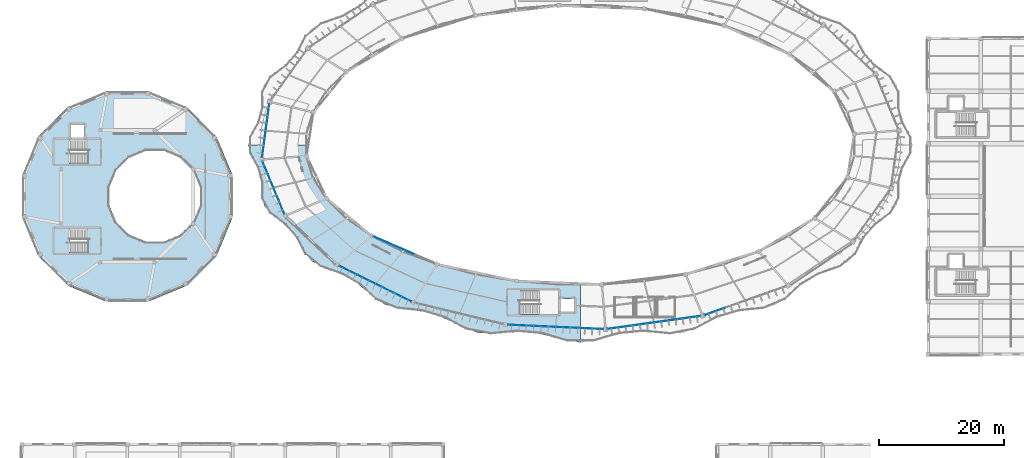
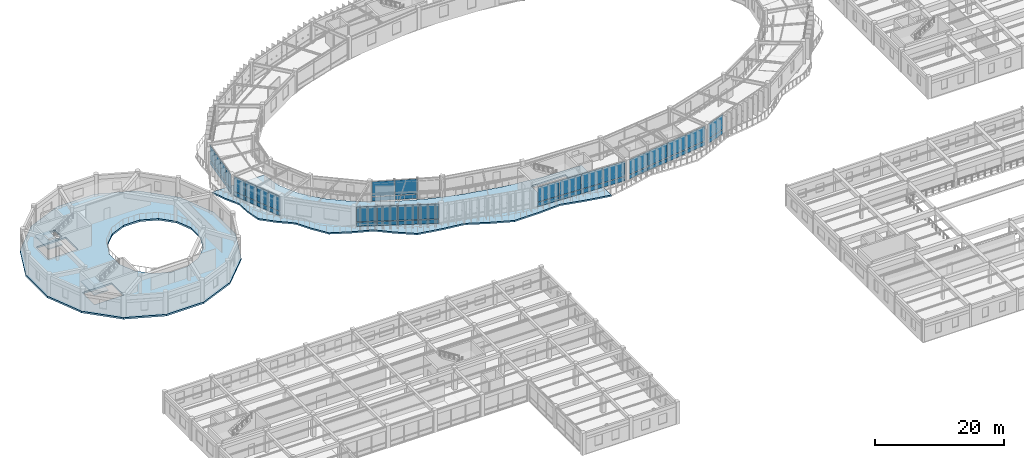
# One storey, part 104 of 138: 46 plates, 4 slabs, 9 elements without a shape of their own.
"""IFC4 building model written with IfcOpenShell, lengths in metres."""

from ifc_helpers import new_model, si_unit, direction, frame, origin, origin_2d, place, context, subcontext, project, spatial, polyline, rectangle, outline, extrude, material, layer, layer_set, type_object, element, aggregate, save


model = new_model("IFC4")

# Units and contexts
model_context = context("Model", 3, precision=1e-05, world=origin(), true_north=direction((0.0, 1.0)))
body_context = subcontext(model_context, "Body", "Model", "MODEL_VIEW")
ifc_project = project(units=[si_unit("LENGTHUNIT", "METRE"), si_unit("AREAUNIT", "SQUARE_METRE"), si_unit("VOLUMEUNIT", "CUBIC_METRE"), si_unit("PLANEANGLEUNIT", "RADIAN"), si_unit("MASSUNIT", "GRAM", prefix="KILO"), si_unit("THERMODYNAMICTEMPERATUREUNIT", "KELVIN"), si_unit("POWERUNIT", "WATT")], contexts=[model_context])

# Site, building, storey
site_placement = place(None, origin())
site = spatial("IfcSite", under=ifc_project, at=site_placement, CompositionType="ELEMENT")
building_placement = place(site_placement, origin())
building = spatial("IfcBuilding", under=site, at=building_placement, Name="Darbajah Civic Hall", CompositionType="ELEMENT")
storey_placement = place(building_placement, frame((0.0, 0.0, 9.60009765625)))
storey = spatial("IfcBuildingStorey", under=building, at=storey_placement, Name="L02", CompositionType="ELEMENT", Elevation=9.60009765625)

# Curtain wall, plates
ifc_material_1 = material(Name="Anodised Bronze Aluminium and Low-E Glazing", Category="aluminium")
curtain_wall_type_1 = type_object("IfcCurtainWallType", Name="Unitised Curtain Wall CW-32 15200x3900", PredefinedType="USERDEFINED", material=ifc_material_1)
curtain_wall_1_placement = place(storey_placement, origin())
curtain_wall_1 = element("IfcCurtainWall", 1, at=curtain_wall_1_placement, inside=storey, type_object=curtain_wall_type_1, Name="L02 unitised curtain wall CW-V1O-L02-14", ObjectType="UNITISED CURTAIN WALL", PredefinedType="USERDEFINED")
ifc_material_2 = material(Name="Low-E Solar Control Double Glazing", Category="glass")
ifc_layer_1 = layer(ifc_material_2, 0.02392578125, Name="Low-E Solar Control Double Glazing")
ifc_layer_set_1 = layer_set([ifc_layer_1], Name="Low-E Solar Control Double Glazing")
plate_type_1 = type_object("IfcPlateType", Name="Solar Double Glazing 24mm", PredefinedType="CURTAIN_PANEL", material=ifc_layer_set_1)
plate_1_placement = place(storey_placement, frame((79.4462890625, 61.0126953125, 0.10009765625), z_axis=(0.0, 0.0, 1.0), x_axis=(0.998962637241, -0.045537340693, 0.0)))
plate_1 = element("IfcPlate", 2, at=plate_1_placement, type_object=plate_type_1, Name="CW-V1O-L02-14 glazed panel 1.1", PredefinedType="CURTAIN_PANEL", context=body_context, shape_type="SweptSolid", body=[
    extrude(rectangle(XDim=3.739990234375, YDim=0.02392578125, at=origin_2d()), origin(), (0.0, 0.0, 1.0), 0.800048828125),
])
plate_2_placement = place(storey_placement, frame((79.4462890625, 61.0126953125, 1.0), z_axis=(0.0, 0.0, 1.0), x_axis=(0.998962637241, -0.045537340693, 0.0)))
plate_2 = element("IfcPlate", 3, at=plate_2_placement, type_object=plate_type_1, Name="CW-V1O-L02-14 glazed panel 1.2", PredefinedType="CURTAIN_PANEL", context=body_context, shape_type="SweptSolid", body=[
    extrude(rectangle(XDim=3.739990234375, YDim=0.02392578125, at=origin_2d()), origin(), (0.0, 0.0, 1.0), 2.820068359375),
])
plate_3_placement = place(storey_placement, frame((83.247314453125, 60.839599609375, 0.10009765625), z_axis=(0.0, 0.0, 1.0), x_axis=(0.998962637241, -0.045537340693, 0.0)))
plate_3 = element("IfcPlate", 4, at=plate_3_placement, type_object=plate_type_1, Name="CW-V1O-L02-14 glazed panel 2.1", PredefinedType="CURTAIN_PANEL", context=body_context, shape_type="SweptSolid", body=[
    extrude(rectangle(XDim=3.739990234375, YDim=0.02392578125, at=origin_2d()), origin(), (0.0, 0.0, 1.0), 0.800048828125),
])
plate_4_placement = place(storey_placement, frame((83.247314453125, 60.839599609375, 1.0), z_axis=(0.0, 0.0, 1.0), x_axis=(0.998962637241, -0.045537340693, 0.0)))
plate_4 = element("IfcPlate", 5, at=plate_4_placement, type_object=plate_type_1, Name="CW-V1O-L02-14 glazed panel 2.2", PredefinedType="CURTAIN_PANEL", context=body_context, shape_type="SweptSolid", body=[
    extrude(rectangle(XDim=3.739990234375, YDim=0.02392578125, at=origin_2d()), origin(), (0.0, 0.0, 1.0), 2.820068359375),
])
plate_5_placement = place(storey_placement, frame((87.04833984375, 60.66650390625, 0.10009765625), z_axis=(0.0, 0.0, 1.0), x_axis=(0.998962637241, -0.045537340693, 0.0)))
plate_5 = element("IfcPlate", 6, at=plate_5_placement, type_object=plate_type_1, Name="CW-V1O-L02-14 glazed panel 3.1", PredefinedType="CURTAIN_PANEL", context=body_context, shape_type="SweptSolid", body=[
    extrude(rectangle(XDim=3.739990234375, YDim=0.02392578125, at=origin_2d()), origin(), (0.0, 0.0, 1.0), 0.800048828125),
])
plate_6_placement = place(storey_placement, frame((87.04833984375, 60.66650390625, 1.0), z_axis=(0.0, 0.0, 1.0), x_axis=(0.998962637241, -0.045537340693, 0.0)))
plate_6 = element("IfcPlate", 7, at=plate_6_placement, type_object=plate_type_1, Name="CW-V1O-L02-14 glazed panel 3.2", PredefinedType="CURTAIN_PANEL", context=body_context, shape_type="SweptSolid", body=[
    extrude(rectangle(XDim=3.739990234375, YDim=0.02392578125, at=origin_2d()), origin(), (0.0, 0.0, 1.0), 2.820068359375),
])
plate_7_placement = place(storey_placement, frame((90.849365234375, 60.493408203125, 0.10009765625), z_axis=(0.0, 0.0, 1.0), x_axis=(0.998962637241, -0.045537340693, 0.0)))
plate_7 = element("IfcPlate", 8, at=plate_7_placement, type_object=plate_type_1, Name="CW-V1O-L02-14 glazed panel 4.1", PredefinedType="CURTAIN_PANEL", context=body_context, shape_type="SweptSolid", body=[
    extrude(rectangle(XDim=3.739990234375, YDim=0.02392578125, at=origin_2d()), origin(), (0.0, 0.0, 1.0), 0.800048828125),
])
plate_8_placement = place(storey_placement, frame((90.849365234375, 60.493408203125, 1.0), z_axis=(0.0, 0.0, 1.0), x_axis=(0.998962637241, -0.045537340693, 0.0)))
plate_8 = element("IfcPlate", 9, at=plate_8_placement, type_object=plate_type_1, Name="CW-V1O-L02-14 glazed panel 4.2", PredefinedType="CURTAIN_PANEL", context=body_context, shape_type="SweptSolid", body=[
    extrude(rectangle(XDim=3.739990234375, YDim=0.02392578125, at=origin_2d()), origin(), (0.0, 0.0, 1.0), 2.820068359375),
])
aggregate(curtain_wall_1, [plate_1, plate_2, plate_3, plate_4, plate_5, plate_6, plate_7, plate_8])

curtain_wall_type_2 = type_object("IfcCurtainWallType", Name="Unitised Curtain Wall CW-47 9000x3900", PredefinedType="USERDEFINED", material=ifc_material_1)
curtain_wall_2_placement = place(storey_placement, origin())
curtain_wall_2 = element("IfcCurtainWall", 10, at=curtain_wall_2_placement, inside=storey, type_object=curtain_wall_type_2, Name="L02 unitised curtain wall CW-V1O-L02-10", ObjectType="UNITISED CURTAIN WALL", PredefinedType="USERDEFINED")
ifc_layer_2 = layer(ifc_material_2, 0.028076171875, Name="Low-E Solar Control Double Glazing")
ifc_layer_set_2 = layer_set([ifc_layer_2], Name="Low-E Solar Control Double Glazing")
plate_type_2 = type_object("IfcPlateType", Name="Solar Double Glazing 28mm", PredefinedType="CURTAIN_PANEL", material=ifc_layer_set_2)
plate_9_placement = place(storey_placement, frame((38.823974609375, 86.119873046875, 0.119873046875), z_axis=(0.0, 0.0, 1.0), x_axis=(0.383328328644, -0.923612143954, 0.0)))
plate_9 = element("IfcPlate", 11, at=plate_9_placement, type_object=plate_type_2, Name="CW-V1O-L02-10 glazed panel 1.1", PredefinedType="CURTAIN_PANEL", context=body_context, shape_type="SweptSolid", body=[
    extrude(rectangle(XDim=2.183349609375, YDim=0.028076171875, at=origin_2d()), origin(), (0.0, 0.0, 1.0), 0.77001953125),
])
plate_10_placement = place(storey_placement, frame((38.823974609375, 86.119873046875, 1.009765625), z_axis=(0.0, 0.0, 1.0), x_axis=(0.383328328644, -0.923612143954, 0.0)))
plate_10 = element("IfcPlate", 12, at=plate_10_placement, type_object=plate_type_2, Name="CW-V1O-L02-10 glazed panel 1.2", PredefinedType="CURTAIN_PANEL", context=body_context, shape_type="SweptSolid", body=[
    extrude(rectangle(XDim=2.183349609375, YDim=0.028076171875, at=origin_2d()), origin(), (0.0, 0.0, 1.0), 2.7900390625),
])
plate_11_placement = place(storey_placement, frame((39.687744140625, 84.038818359375, 0.119873046875), z_axis=(0.0, 0.0, 1.0), x_axis=(0.383328328644, -0.923612143954, 0.0)))
plate_11 = element("IfcPlate", 13, at=plate_11_placement, type_object=plate_type_2, Name="CW-V1O-L02-10 glazed panel 2.1", PredefinedType="CURTAIN_PANEL", context=body_context, shape_type="SweptSolid", body=[
    extrude(rectangle(XDim=2.183349609375, YDim=0.028076171875, at=origin_2d()), origin(), (0.0, 0.0, 1.0), 0.77001953125),
])
plate_12_placement = place(storey_placement, frame((39.687744140625, 84.038818359375, 1.009765625), z_axis=(0.0, 0.0, 1.0), x_axis=(0.383328328644, -0.923612143954, 0.0)))
plate_12 = element("IfcPlate", 14, at=plate_12_placement, type_object=plate_type_2, Name="CW-V1O-L02-10 glazed panel 2.2", PredefinedType="CURTAIN_PANEL", context=body_context, shape_type="SweptSolid", body=[
    extrude(rectangle(XDim=2.183349609375, YDim=0.028076171875, at=origin_2d()), origin(), (0.0, 0.0, 1.0), 2.7900390625),
])
plate_13_placement = place(storey_placement, frame((40.551513671875, 81.95751953125, 0.119873046875), z_axis=(0.0, 0.0, 1.0), x_axis=(0.383328328644, -0.923612143954, 0.0)))
plate_13 = element("IfcPlate", 15, at=plate_13_placement, type_object=plate_type_2, Name="CW-V1O-L02-10 glazed panel 3.1", PredefinedType="CURTAIN_PANEL", context=body_context, shape_type="SweptSolid", body=[
    extrude(rectangle(XDim=2.183349609375, YDim=0.028076171875, at=origin_2d()), origin(), (0.0, 0.0, 1.0), 0.77001953125),
])
plate_14_placement = place(storey_placement, frame((40.551513671875, 81.95751953125, 1.009765625), z_axis=(0.0, 0.0, 1.0), x_axis=(0.383328328644, -0.923612143954, 0.0)))
plate_14 = element("IfcPlate", 16, at=plate_14_placement, type_object=plate_type_2, Name="CW-V1O-L02-10 glazed panel 3.2", PredefinedType="CURTAIN_PANEL", context=body_context, shape_type="SweptSolid", body=[
    extrude(rectangle(XDim=2.183349609375, YDim=0.028076171875, at=origin_2d()), origin(), (0.0, 0.0, 1.0), 2.7900390625),
])
plate_15_placement = place(storey_placement, frame((41.415283203125, 79.87646484375, 0.119873046875), z_axis=(0.0, 0.0, 1.0), x_axis=(0.383328328644, -0.923612143954, 0.0)))
plate_15 = element("IfcPlate", 17, at=plate_15_placement, type_object=plate_type_2, Name="CW-V1O-L02-10 glazed panel 4.1", PredefinedType="CURTAIN_PANEL", context=body_context, shape_type="SweptSolid", body=[
    extrude(rectangle(XDim=2.183349609375, YDim=0.028076171875, at=origin_2d()), origin(), (0.0, 0.0, 1.0), 0.77001953125),
])
plate_16_placement = place(storey_placement, frame((41.415283203125, 79.87646484375, 1.009765625), z_axis=(0.0, 0.0, 1.0), x_axis=(0.383328328644, -0.923612143954, 0.0)))
plate_16 = element("IfcPlate", 18, at=plate_16_placement, type_object=plate_type_2, Name="CW-V1O-L02-10 glazed panel 4.2", PredefinedType="CURTAIN_PANEL", context=body_context, shape_type="SweptSolid", body=[
    extrude(rectangle(XDim=2.183349609375, YDim=0.028076171875, at=origin_2d()), origin(), (0.0, 0.0, 1.0), 2.7900390625),
])
aggregate(curtain_wall_2, [plate_9, plate_10, plate_11, plate_12, plate_13, plate_14, plate_15, plate_16])

curtain_wall_type_3 = type_object("IfcCurtainWallType", Name="Unitised Curtain Wall CW-19 10700x3900", PredefinedType="USERDEFINED", material=ifc_material_1)
curtain_wall_3_placement = place(storey_placement, origin())
curtain_wall_3 = element("IfcCurtainWall", 19, at=curtain_wall_3_placement, inside=storey, type_object=curtain_wall_type_3, Name="L02 unitised curtain wall CW-V1I-L02-12", ObjectType="UNITISED CURTAIN WALL", PredefinedType="USERDEFINED")
plate_17_placement = place(storey_placement, frame((57.73095703125, 74.47509765625, 0.119873046875), z_axis=(0.0, 0.0, 1.0), x_axis=(0.917060074385, -0.398749068925, 0.0)))
plate_17 = element("IfcPlate", 20, at=plate_17_placement, type_object=plate_type_2, Name="CW-V1I-L02-12 glazed panel 1.1", PredefinedType="CURTAIN_PANEL", context=body_context, shape_type="SweptSolid", body=[
    extrude(rectangle(XDim=3.49951171875, YDim=0.028076171875, at=origin_2d()), origin(), (0.0, 0.0, 1.0), 0.77001953125),
])
plate_18_placement = place(storey_placement, frame((57.73095703125, 74.47509765625, 1.009765625), z_axis=(0.0, 0.0, 1.0), x_axis=(0.917060074385, -0.398749068925, 0.0)))
plate_18 = element("IfcPlate", 21, at=plate_18_placement, type_object=plate_type_2, Name="CW-V1I-L02-12 glazed panel 1.2", PredefinedType="CURTAIN_PANEL", context=body_context, shape_type="SweptSolid", body=[
    extrude(rectangle(XDim=3.49951171875, YDim=0.028076171875, at=origin_2d()), origin(), (0.0, 0.0, 1.0), 2.7900390625),
])
plate_19_placement = place(storey_placement, frame((61.00439453125, 73.0517578125, 0.119873046875), z_axis=(0.0, 0.0, 1.0), x_axis=(0.917060074385, -0.398749068925, 0.0)))
plate_19 = element("IfcPlate", 22, at=plate_19_placement, type_object=plate_type_2, Name="CW-V1I-L02-12 glazed panel 2.1", PredefinedType="CURTAIN_PANEL", context=body_context, shape_type="SweptSolid", body=[
    extrude(rectangle(XDim=3.49951171875, YDim=0.028076171875, at=origin_2d()), origin(), (0.0, 0.0, 1.0), 0.77001953125),
])
plate_20_placement = place(storey_placement, frame((61.00439453125, 73.0517578125, 1.009765625), z_axis=(0.0, 0.0, 1.0), x_axis=(0.917060074385, -0.398749068925, 0.0)))
plate_20 = element("IfcPlate", 23, at=plate_20_placement, type_object=plate_type_2, Name="CW-V1I-L02-12 glazed panel 2.2", PredefinedType="CURTAIN_PANEL", context=body_context, shape_type="SweptSolid", body=[
    extrude(rectangle(XDim=3.49951171875, YDim=0.028076171875, at=origin_2d()), origin(), (0.0, 0.0, 1.0), 2.7900390625),
])
aggregate(curtain_wall_3, [plate_17, plate_18, plate_19, plate_20])

curtain_wall_type_4 = type_object("IfcCurtainWallType", Name="Unitised Curtain Wall CW-33 13700x3900", PredefinedType="USERDEFINED", material=ifc_material_1)
curtain_wall_4_placement = place(storey_placement, origin())
curtain_wall_4 = element("IfcCurtainWall", 24, at=curtain_wall_4_placement, inside=storey, type_object=curtain_wall_type_4, Name="L02 unitised curtain wall CW-V1O-L02-16", ObjectType="UNITISED CURTAIN WALL", PredefinedType="USERDEFINED")
plate_21_placement = place(storey_placement, frame((110.56640625, 63.236572265625, 0.119873046875), z_axis=(0.0, 0.0, 1.0), x_axis=(0.94252491309, 0.334135882844, 0.0)))
plate_21 = element("IfcPlate", 25, at=plate_21_placement, type_object=plate_type_2, Name="CW-V1O-L02-16 glazed panel 1.1", PredefinedType="CURTAIN_PANEL", context=body_context, shape_type="SweptSolid", body=[
    extrude(rectangle(XDim=3.362548828125, YDim=0.028076171875, at=origin_2d()), origin(), (0.0, 0.0, 1.0), 0.77001953125),
])
plate_22_placement = place(storey_placement, frame((110.56640625, 63.236572265625, 1.009765625), z_axis=(0.0, 0.0, 1.0), x_axis=(0.94252491309, 0.334135882844, 0.0)))
plate_22 = element("IfcPlate", 26, at=plate_22_placement, type_object=plate_type_2, Name="CW-V1O-L02-16 glazed panel 1.2", PredefinedType="CURTAIN_PANEL", context=body_context, shape_type="SweptSolid", body=[
    extrude(rectangle(XDim=3.362548828125, YDim=0.028076171875, at=origin_2d()), origin(), (0.0, 0.0, 1.0), 2.7900390625),
])
aggregate(curtain_wall_4, [plate_21, plate_22])

curtain_wall_type_5 = type_object("IfcCurtainWallType", Name="Unitised Curtain Wall CW-45 8600x3900", PredefinedType="USERDEFINED", material=ifc_material_1)
curtain_wall_5_placement = place(storey_placement, origin())
curtain_wall_5 = element("IfcCurtainWall", 27, at=curtain_wall_5_placement, inside=storey, type_object=curtain_wall_type_5, Name="L02 unitised curtain wall CW-V1O-L02-09", ObjectType="UNITISED CURTAIN WALL", PredefinedType="USERDEFINED")
ifc_layer_3 = layer(ifc_material_2, 0.031982421875, Name="Low-E Solar Control Double Glazing")
ifc_layer_set_3 = layer_set([ifc_layer_3], Name="Low-E Solar Control Double Glazing")
plate_type_3 = type_object("IfcPlateType", Name="Solar Double Glazing 32mm", PredefinedType="CURTAIN_PANEL", material=ifc_layer_set_3)
plate_23_placement = place(storey_placement, frame((39.31689453125, 95.27490234375, 0.14013671875), z_axis=(0.0, 0.0, 1.0), x_axis=(-0.134850930274, -0.990865897387, 0.0)))
plate_23 = element("IfcPlate", 28, at=plate_23_placement, type_object=plate_type_3, Name="CW-V1O-L02-09 glazed panel 1.1", PredefinedType="CURTAIN_PANEL", context=body_context, shape_type="SweptSolid", body=[
    extrude(rectangle(XDim=2.070556640625, YDim=0.031982421875, at=origin_2d()), origin(), (0.0, 0.0, 1.0), 0.739990234375),
])
plate_24_placement = place(storey_placement, frame((39.31689453125, 95.27490234375, 1.02001953125), z_axis=(0.0, 0.0, 1.0), x_axis=(-0.134850930274, -0.990865897387, 0.0)))
plate_24 = element("IfcPlate", 29, at=plate_24_placement, type_object=plate_type_3, Name="CW-V1O-L02-09 glazed panel 1.2", PredefinedType="CURTAIN_PANEL", context=body_context, shape_type="SweptSolid", body=[
    extrude(rectangle(XDim=2.070556640625, YDim=0.031982421875, at=origin_2d()), origin(), (0.0, 0.0, 1.0), 2.760009765625),
])
plate_25_placement = place(storey_placement, frame((39.027587890625, 93.14892578125, 0.14013671875), z_axis=(0.0, 0.0, 1.0), x_axis=(-0.134850930274, -0.990865897387, 0.0)))
plate_25 = element("IfcPlate", 30, at=plate_25_placement, type_object=plate_type_3, Name="CW-V1O-L02-09 glazed panel 2.1", PredefinedType="CURTAIN_PANEL", context=body_context, shape_type="SweptSolid", body=[
    extrude(rectangle(XDim=2.070556640625, YDim=0.031982421875, at=origin_2d()), origin(), (0.0, 0.0, 1.0), 0.739990234375),
])
plate_26_placement = place(storey_placement, frame((39.027587890625, 93.14892578125, 1.02001953125), z_axis=(0.0, 0.0, 1.0), x_axis=(-0.134850930274, -0.990865897387, 0.0)))
plate_26 = element("IfcPlate", 31, at=plate_26_placement, type_object=plate_type_3, Name="CW-V1O-L02-09 glazed panel 2.2", PredefinedType="CURTAIN_PANEL", context=body_context, shape_type="SweptSolid", body=[
    extrude(rectangle(XDim=2.070556640625, YDim=0.031982421875, at=origin_2d()), origin(), (0.0, 0.0, 1.0), 2.760009765625),
])
plate_27_placement = place(storey_placement, frame((38.738525390625, 91.023193359375, 0.14013671875), z_axis=(0.0, 0.0, 1.0), x_axis=(-0.134850930274, -0.990865897387, 0.0)))
plate_27 = element("IfcPlate", 32, at=plate_27_placement, type_object=plate_type_3, Name="CW-V1O-L02-09 glazed panel 3.1", PredefinedType="CURTAIN_PANEL", context=body_context, shape_type="SweptSolid", body=[
    extrude(rectangle(XDim=2.070556640625, YDim=0.031982421875, at=origin_2d()), origin(), (0.0, 0.0, 1.0), 0.739990234375),
])
plate_28_placement = place(storey_placement, frame((38.738525390625, 91.023193359375, 1.02001953125), z_axis=(0.0, 0.0, 1.0), x_axis=(-0.134850930274, -0.990865897387, 0.0)))
plate_28 = element("IfcPlate", 33, at=plate_28_placement, type_object=plate_type_3, Name="CW-V1O-L02-09 glazed panel 3.2", PredefinedType="CURTAIN_PANEL", context=body_context, shape_type="SweptSolid", body=[
    extrude(rectangle(XDim=2.070556640625, YDim=0.031982421875, at=origin_2d()), origin(), (0.0, 0.0, 1.0), 2.760009765625),
])
plate_29_placement = place(storey_placement, frame((38.449462890625, 88.897216796875, 0.14013671875), z_axis=(0.0, 0.0, 1.0), x_axis=(-0.134850930274, -0.990865897387, 0.0)))
plate_29 = element("IfcPlate", 34, at=plate_29_placement, type_object=plate_type_3, Name="CW-V1O-L02-09 glazed panel 4.1", PredefinedType="CURTAIN_PANEL", context=body_context, shape_type="SweptSolid", body=[
    extrude(rectangle(XDim=2.070556640625, YDim=0.031982421875, at=origin_2d()), origin(), (0.0, 0.0, 1.0), 0.739990234375),
])
plate_30_placement = place(storey_placement, frame((38.449462890625, 88.897216796875, 1.02001953125), z_axis=(0.0, 0.0, 1.0), x_axis=(-0.134850930274, -0.990865897387, 0.0)))
plate_30 = element("IfcPlate", 35, at=plate_30_placement, type_object=plate_type_3, Name="CW-V1O-L02-09 glazed panel 4.2", PredefinedType="CURTAIN_PANEL", context=body_context, shape_type="SweptSolid", body=[
    extrude(rectangle(XDim=2.070556640625, YDim=0.031982421875, at=origin_2d()), origin(), (0.0, 0.0, 1.0), 2.760009765625),
])
aggregate(curtain_wall_5, [plate_23, plate_24, plate_25, plate_26, plate_27, plate_28, plate_29, plate_30])

curtain_wall_type_6 = type_object("IfcCurtainWallType", Name="Unitised Curtain Wall CW-30 12800x3900", PredefinedType="USERDEFINED", material=ifc_material_1)
curtain_wall_6_placement = place(storey_placement, origin())
curtain_wall_6 = element("IfcCurtainWall", 36, at=curtain_wall_6_placement, inside=storey, type_object=curtain_wall_type_6, Name="L02 unitised curtain wall CW-V1O-L02-12", ObjectType="UNITISED CURTAIN WALL", PredefinedType="USERDEFINED")
plate_31_placement = place(storey_placement, frame((52.072509765625, 69.775146484375, 0.14013671875), z_axis=(0.0, 0.0, 1.0), x_axis=(0.89656374724, -0.442914717678, 0.0)))
plate_31 = element("IfcPlate", 37, at=plate_31_placement, type_object=plate_type_3, Name="CW-V1O-L02-12 glazed panel 1.1", PredefinedType="CURTAIN_PANEL", context=body_context, shape_type="SweptSolid", body=[
    extrude(rectangle(XDim=3.13232421875, YDim=0.031982421875, at=origin_2d()), origin(), (0.0, 0.0, 1.0), 0.739990234375),
])
plate_32_placement = place(storey_placement, frame((52.072509765625, 69.775146484375, 1.02001953125), z_axis=(0.0, 0.0, 1.0), x_axis=(0.89656374724, -0.442914717678, 0.0)))
plate_32 = element("IfcPlate", 38, at=plate_32_placement, type_object=plate_type_3, Name="CW-V1O-L02-12 glazed panel 1.2", PredefinedType="CURTAIN_PANEL", context=body_context, shape_type="SweptSolid", body=[
    extrude(rectangle(XDim=3.13232421875, YDim=0.031982421875, at=origin_2d()), origin(), (0.0, 0.0, 1.0), 2.760009765625),
])
plate_33_placement = place(storey_placement, frame((54.947998046875, 68.3544921875, 0.14013671875), z_axis=(0.0, 0.0, 1.0), x_axis=(0.89656374724, -0.442914717678, 0.0)))
plate_33 = element("IfcPlate", 39, at=plate_33_placement, type_object=plate_type_3, Name="CW-V1O-L02-12 glazed panel 2.1", PredefinedType="CURTAIN_PANEL", context=body_context, shape_type="SweptSolid", body=[
    extrude(rectangle(XDim=3.13232421875, YDim=0.031982421875, at=origin_2d()), origin(), (0.0, 0.0, 1.0), 0.739990234375),
])
plate_34_placement = place(storey_placement, frame((54.947998046875, 68.3544921875, 1.02001953125), z_axis=(0.0, 0.0, 1.0), x_axis=(0.89656374724, -0.442914717678, 0.0)))
plate_34 = element("IfcPlate", 40, at=plate_34_placement, type_object=plate_type_3, Name="CW-V1O-L02-12 glazed panel 2.2", PredefinedType="CURTAIN_PANEL", context=body_context, shape_type="SweptSolid", body=[
    extrude(rectangle(XDim=3.13232421875, YDim=0.031982421875, at=origin_2d()), origin(), (0.0, 0.0, 1.0), 2.760009765625),
])
plate_35_placement = place(storey_placement, frame((57.82373046875, 66.933837890625, 0.14013671875), z_axis=(0.0, 0.0, 1.0), x_axis=(0.89656374724, -0.442914717678, 0.0)))
plate_35 = element("IfcPlate", 41, at=plate_35_placement, type_object=plate_type_3, Name="CW-V1O-L02-12 glazed panel 3.1", PredefinedType="CURTAIN_PANEL", context=body_context, shape_type="SweptSolid", body=[
    extrude(rectangle(XDim=3.13232421875, YDim=0.031982421875, at=origin_2d()), origin(), (0.0, 0.0, 1.0), 0.739990234375),
])
plate_36_placement = place(storey_placement, frame((57.82373046875, 66.933837890625, 1.02001953125), z_axis=(0.0, 0.0, 1.0), x_axis=(0.89656374724, -0.442914717678, 0.0)))
plate_36 = element("IfcPlate", 42, at=plate_36_placement, type_object=plate_type_3, Name="CW-V1O-L02-12 glazed panel 3.2", PredefinedType="CURTAIN_PANEL", context=body_context, shape_type="SweptSolid", body=[
    extrude(rectangle(XDim=3.13232421875, YDim=0.031982421875, at=origin_2d()), origin(), (0.0, 0.0, 1.0), 2.760009765625),
])
plate_37_placement = place(storey_placement, frame((60.69921875, 65.51318359375, 0.14013671875), z_axis=(0.0, 0.0, 1.0), x_axis=(0.89656374724, -0.442914717678, 0.0)))
plate_37 = element("IfcPlate", 43, at=plate_37_placement, type_object=plate_type_3, Name="CW-V1O-L02-12 glazed panel 4.1", PredefinedType="CURTAIN_PANEL", context=body_context, shape_type="SweptSolid", body=[
    extrude(rectangle(XDim=3.13232421875, YDim=0.031982421875, at=origin_2d()), origin(), (0.0, 0.0, 1.0), 0.739990234375),
])
plate_38_placement = place(storey_placement, frame((60.69921875, 65.51318359375, 1.02001953125), z_axis=(0.0, 0.0, 1.0), x_axis=(0.89656374724, -0.442914717678, 0.0)))
plate_38 = element("IfcPlate", 44, at=plate_38_placement, type_object=plate_type_3, Name="CW-V1O-L02-12 glazed panel 4.2", PredefinedType="CURTAIN_PANEL", context=body_context, shape_type="SweptSolid", body=[
    extrude(rectangle(XDim=3.13232421875, YDim=0.031982421875, at=origin_2d()), origin(), (0.0, 0.0, 1.0), 2.760009765625),
])
aggregate(curtain_wall_6, [plate_31, plate_32, plate_33, plate_34, plate_35, plate_36, plate_37, plate_38])

curtain_wall_type_7 = type_object("IfcCurtainWallType", Name="Unitised Curtain Wall CW-49 15000x3900", PredefinedType="USERDEFINED", material=ifc_material_1)
curtain_wall_7_placement = place(storey_placement, origin())
curtain_wall_7 = element("IfcCurtainWall", 45, at=curtain_wall_7_placement, inside=storey, type_object=curtain_wall_type_7, Name="L02 unitised curtain wall CW-V1O-L02-15", ObjectType="UNITISED CURTAIN WALL", PredefinedType="USERDEFINED")
plate_39_placement = place(storey_placement, frame((95.302490234375, 60.696533203125, 0.14013671875), z_axis=(0.0, 0.0, 1.0), x_axis=(0.990485459553, 0.137617420457, 0.0)))
plate_39 = element("IfcPlate", 46, at=plate_39_placement, type_object=plate_type_3, Name="CW-V1O-L02-15 glazed panel 1.1", PredefinedType="CURTAIN_PANEL", context=body_context, shape_type="SweptSolid", body=[
    extrude(rectangle(XDim=3.6650390625, YDim=0.031982421875, at=origin_2d()), origin(), (0.0, 0.0, 1.0), 0.739990234375),
])
plate_40_placement = place(storey_placement, frame((95.302490234375, 60.696533203125, 1.02001953125), z_axis=(0.0, 0.0, 1.0), x_axis=(0.990485459553, 0.137617420457, 0.0)))
plate_40 = element("IfcPlate", 47, at=plate_40_placement, type_object=plate_type_3, Name="CW-V1O-L02-15 glazed panel 1.2", PredefinedType="CURTAIN_PANEL", context=body_context, shape_type="SweptSolid", body=[
    extrude(rectangle(XDim=3.6650390625, YDim=0.031982421875, at=origin_2d()), origin(), (0.0, 0.0, 1.0), 2.760009765625),
])
plate_41_placement = place(storey_placement, frame((99.0068359375, 61.2109375, 0.14013671875), z_axis=(0.0, 0.0, 1.0), x_axis=(0.990485459553, 0.137617420457, 0.0)))
plate_41 = element("IfcPlate", 48, at=plate_41_placement, type_object=plate_type_3, Name="CW-V1O-L02-15 glazed panel 2.1", PredefinedType="CURTAIN_PANEL", context=body_context, shape_type="SweptSolid", body=[
    extrude(rectangle(XDim=3.6650390625, YDim=0.031982421875, at=origin_2d()), origin(), (0.0, 0.0, 1.0), 0.739990234375),
])
plate_42_placement = place(storey_placement, frame((99.0068359375, 61.2109375, 1.02001953125), z_axis=(0.0, 0.0, 1.0), x_axis=(0.990485459553, 0.137617420457, 0.0)))
plate_42 = element("IfcPlate", 49, at=plate_42_placement, type_object=plate_type_3, Name="CW-V1O-L02-15 glazed panel 2.2", PredefinedType="CURTAIN_PANEL", context=body_context, shape_type="SweptSolid", body=[
    extrude(rectangle(XDim=3.6650390625, YDim=0.031982421875, at=origin_2d()), origin(), (0.0, 0.0, 1.0), 2.760009765625),
])
plate_43_placement = place(storey_placement, frame((102.71142578125, 61.7255859375, 0.14013671875), z_axis=(0.0, 0.0, 1.0), x_axis=(0.990485459553, 0.137617420457, 0.0)))
plate_43 = element("IfcPlate", 50, at=plate_43_placement, type_object=plate_type_3, Name="CW-V1O-L02-15 glazed panel 3.1", PredefinedType="CURTAIN_PANEL", context=body_context, shape_type="SweptSolid", body=[
    extrude(rectangle(XDim=3.6650390625, YDim=0.031982421875, at=origin_2d()), origin(), (0.0, 0.0, 1.0), 0.739990234375),
])
plate_44_placement = place(storey_placement, frame((102.71142578125, 61.7255859375, 1.02001953125), z_axis=(0.0, 0.0, 1.0), x_axis=(0.990485459553, 0.137617420457, 0.0)))
plate_44 = element("IfcPlate", 51, at=plate_44_placement, type_object=plate_type_3, Name="CW-V1O-L02-15 glazed panel 3.2", PredefinedType="CURTAIN_PANEL", context=body_context, shape_type="SweptSolid", body=[
    extrude(rectangle(XDim=3.6650390625, YDim=0.031982421875, at=origin_2d()), origin(), (0.0, 0.0, 1.0), 2.760009765625),
])
plate_45_placement = place(storey_placement, frame((106.416015625, 62.239990234375, 0.14013671875), z_axis=(0.0, 0.0, 1.0), x_axis=(0.990485459553, 0.137617420457, 0.0)))
plate_45 = element("IfcPlate", 52, at=plate_45_placement, type_object=plate_type_3, Name="CW-V1O-L02-15 glazed panel 4.1", PredefinedType="CURTAIN_PANEL", context=body_context, shape_type="SweptSolid", body=[
    extrude(rectangle(XDim=3.6650390625, YDim=0.031982421875, at=origin_2d()), origin(), (0.0, 0.0, 1.0), 0.739990234375),
])
plate_46_placement = place(storey_placement, frame((106.416015625, 62.239990234375, 1.02001953125), z_axis=(0.0, 0.0, 1.0), x_axis=(0.990485459553, 0.137617420457, 0.0)))
plate_46 = element("IfcPlate", 53, at=plate_46_placement, type_object=plate_type_3, Name="CW-V1O-L02-15 glazed panel 4.2", PredefinedType="CURTAIN_PANEL", context=body_context, shape_type="SweptSolid", body=[
    extrude(rectangle(XDim=3.6650390625, YDim=0.031982421875, at=origin_2d()), origin(), (0.0, 0.0, 1.0), 2.760009765625),
])
aggregate(curtain_wall_7, [plate_39, plate_40, plate_41, plate_42, plate_43, plate_44, plate_45, plate_46])

# Stair, slab
ifc_material_3 = material(Name="Concrete C45/55", Category="concrete")
stair_type = type_object("IfcStairType", Name="Half Turn Stair 1650x4200", PredefinedType="HALF_TURN_STAIR", material=ifc_material_3)
stair_1_placement = place(storey_placement, origin())
stair_1 = element("IfcStair", 54, at=stair_1_placement, inside=storey, type_object=stair_type, Name="L02 enclosed exit stair ST04", PredefinedType="HALF_TURN_STAIR")
ifc_layer_4 = layer(ifc_material_3, 0.199951171875, Name="Concrete C45/55")
ifc_layer_set_4 = layer_set([ifc_layer_4], Name="Concrete C45/55")
slab_type_1 = type_object("IfcSlabType", Name="Stair Landing Slab 200mm", PredefinedType="LANDING", material=ifc_layer_set_4)
slab_1_placement = place(storey_placement, frame((0.0, 0.0, 1.89990234375)))
slab_1 = element("IfcSlab", 55, at=slab_1_placement, type_object=slab_type_1, Name="ST04 L02 half-landing", PredefinedType="LANDING", context=body_context, shape_type="SweptSolid", body=[
    extrude(outline(polyline([(5.0, 86.60009765625), (7.56005859375, 86.60009765625), (7.56005859375, 90.800048828125), (5.0, 90.800048828125), (5.0, 86.60009765625)])), origin(), (0.0, 0.0, 1.0), 0.199951171875),
])
aggregate(stair_1, [slab_1])

stair_2_placement = place(storey_placement, origin())
stair_2 = element("IfcStair", 56, at=stair_2_placement, inside=storey, type_object=stair_type, Name="L02 enclosed exit stair ST05", PredefinedType="HALF_TURN_STAIR")
slab_2_placement = place(storey_placement, frame((0.0, 0.0, 1.89990234375)))
slab_2 = element("IfcSlab", 57, at=slab_2_placement, type_object=slab_type_1, Name="ST05 L02 half-landing", PredefinedType="LANDING", context=body_context, shape_type="SweptSolid", body=[
    extrude(outline(polyline([(5.0, 72.39990234375), (7.56005859375, 72.39990234375), (7.56005859375, 76.60009765625), (5.0, 76.60009765625), (5.0, 72.39990234375)])), origin(), (0.0, 0.0, 1.0), 0.199951171875),
])
aggregate(stair_2, [slab_2])

# Slabs
ifc_layer_5 = layer(ifc_material_3, 0.280029296875, Name="Concrete C45/55")
ifc_layer_set_5 = layer_set([ifc_layer_5], Name="Concrete C45/55")
slab_type_2 = type_object("IfcSlabType", Name="Structural Floor Slab 280mm", PredefinedType="FLOOR", material=ifc_layer_set_5)
slab_3_placement = place(storey_placement, frame((0.0, 0.0, -0.280029296875)))
element("IfcSlab", 58, at=slab_3_placement, inside=storey, type_object=slab_type_2, Name="L02 Oval Administration Ring SW floor slab", PredefinedType="FLOOR", context=body_context, shape_type="SweptSolid", body=[
    extrude(outline(polyline([(36.077880859375, 89.800048828125), (36.94140625, 87.3818359375), (38.117431640625, 85.08837890625), (38.2255859375, 82.605224609375), (38.673095703125, 80.05908203125), (40.7626953125, 78.005615234375), (43.10791015625, 76.126708984375), (44.489990234375, 73.696533203125), (46.204345703125, 71.271728515625), (49.315673828125, 69.783935546875), (52.6005859375, 68.50341796875), (55.120849609375, 66.3642578125), (57.9345703125, 64.298095703125), (61.762939453125, 63.521484375), (65.666015625, 62.964599609375), (69.077880859375, 61.325927734375), (72.71533203125, 59.82080078125), (76.885986328125, 59.83154296875), (81.025146484375, 60.052734375), (84.9951171875, 59.074951171875), (89.10009765625, 58.278076171875), (89.10009765625, 67.52001953125), (82.251220703125, 67.794189453125), (75.5712890625, 68.610595703125), (69.224365234375, 69.948486328125), (63.36669921875, 71.775146484375), (58.142822265625, 74.045654296875), (53.68115234375, 76.7041015625), (50.091796875, 79.68505859375), (47.462646484375, 82.9150390625), (45.85888671875, 86.314697265625), (45.320068359375, 89.800048828125), (36.077880859375, 89.800048828125)]), holes=[polyline([(79.580078125, 66.580078125), (85.659912109375, 66.580078125), (85.659912109375, 62.820068359375), (79.580078125, 62.820068359375), (79.580078125, 66.580078125)]), polyline([(85.949951171875, 65.25), (88.14990234375, 65.25), (88.14990234375, 63.14990234375), (85.949951171875, 63.14990234375), (85.949951171875, 65.25)])]), origin(), (0.0, 0.0, 1.0), 0.280029296875),
])
ifc_layer_6 = layer(ifc_material_3, 0.320068359375, Name="Concrete C45/55")
ifc_layer_set_6 = layer_set([ifc_layer_6], Name="Concrete C45/55")
slab_type_3 = type_object("IfcSlabType", Name="Structural Floor Slab 320mm", PredefinedType="FLOOR", material=ifc_layer_set_6)
slab_4_placement = place(storey_placement, frame((0.0, 0.0, -0.320068359375)))
element("IfcSlab", 59, at=slab_4_placement, inside=storey, type_object=slab_type_3, Name="L02 Council Chamber drum floor slab", PredefinedType="FLOOR", context=body_context, shape_type="SweptSolid", body=[
    extrude(outline(polyline([(33.60009765625, 84.941650390625), (31.04248046875, 91.116455078125), (26.31640625, 95.84228515625), (20.1416015625, 98.39990234375), (13.458251953125, 98.39990234375), (7.28369140625, 95.84228515625), (2.5576171875, 91.116455078125), (0.0, 84.941650390625), (0.0, 78.25830078125), (2.5576171875, 72.08349609375), (7.28369140625, 67.357666015625), (13.458251953125, 64.800048828125), (20.1416015625, 64.800048828125), (26.31640625, 67.357666015625), (31.04248046875, 72.08349609375), (33.60009765625, 78.25830078125), (33.60009765625, 84.941650390625)]), holes=[polyline([(5.139892578125, 90.580078125), (10.419921875, 90.580078125), (10.419921875, 86.820068359375), (5.139892578125, 86.820068359375), (5.139892578125, 90.580078125)]), polyline([(7.75, 93.050048828125), (9.949951171875, 93.050048828125), (9.949951171875, 90.949951171875), (7.75, 90.949951171875), (7.75, 93.050048828125)]), polyline([(5.139892578125, 76.3798828125), (10.419921875, 76.3798828125), (10.419921875, 72.6201171875), (5.139892578125, 72.6201171875), (5.139892578125, 76.3798828125)]), polyline([(28.457763671875, 80.15625), (27.352783203125, 77.48876953125), (25.311279296875, 75.447021484375), (22.643798828125, 74.34228515625), (19.75634765625, 74.34228515625), (17.0888671875, 75.447021484375), (15.047119140625, 77.48876953125), (13.942138671875, 80.15625), (13.942138671875, 83.043701171875), (15.047119140625, 85.711181640625), (17.0888671875, 87.7529296875), (19.75634765625, 88.85791015625), (22.643798828125, 88.85791015625), (25.311279296875, 87.7529296875), (27.352783203125, 85.711181640625), (28.457763671875, 83.043701171875), (28.457763671875, 80.15625)])]), origin(), (0.0, 0.0, 1.0), 0.320068359375),
])

save(model, "model.ifc")
